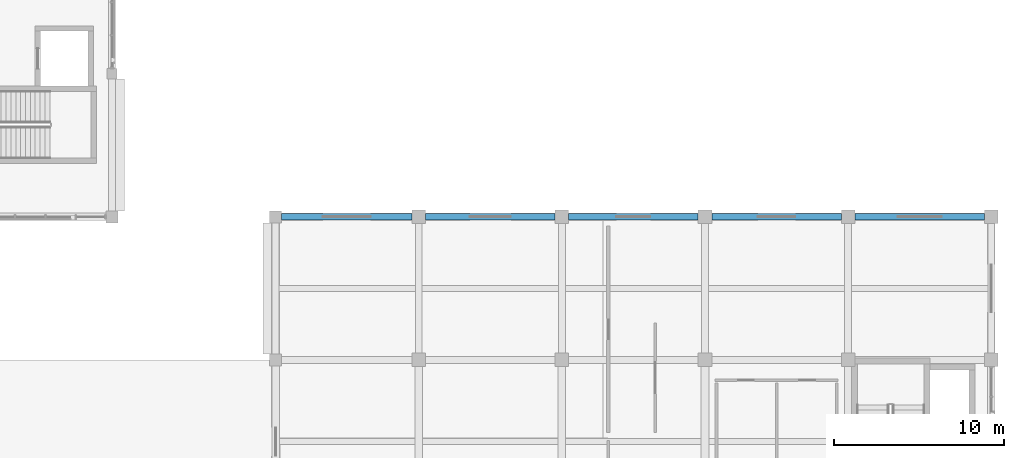
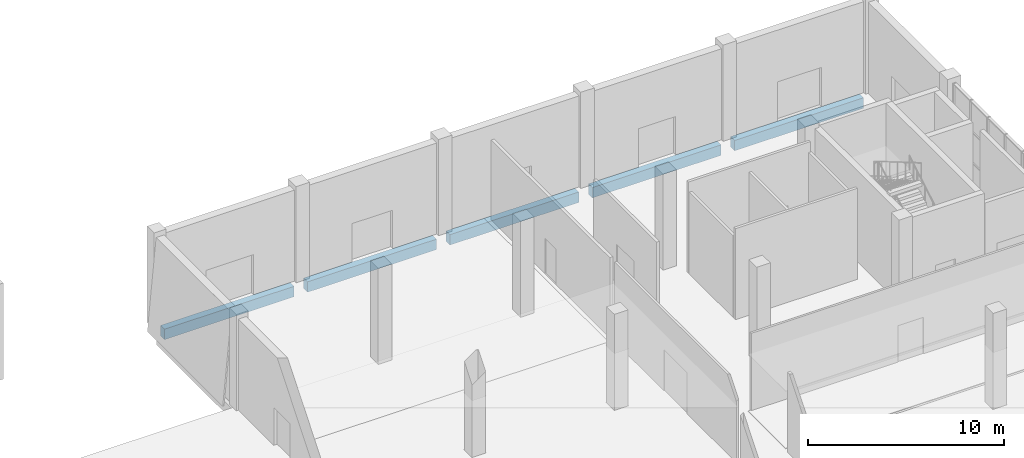
# One storey, part 38 of 84: 5 beams.
"""IFC4 building model written with IfcOpenShell, lengths in metres."""

from ifc_helpers import new_model, si_unit, direction, frame, origin, origin_2d, place, context, subcontext, project, spatial, rectangle, extrude, material, material_profile, profile_set, type_object, element, save


model = new_model("IFC4")

# Units and contexts
model_context = context("Model", 3, precision=1e-05, world=origin(), true_north=direction((0.0, 1.0)))
body_context = subcontext(model_context, "Body", "Model", "MODEL_VIEW")
ifc_project = project(units=[si_unit("LENGTHUNIT", "METRE"), si_unit("AREAUNIT", "SQUARE_METRE"), si_unit("VOLUMEUNIT", "CUBIC_METRE"), si_unit("PLANEANGLEUNIT", "RADIAN"), si_unit("MASSUNIT", "GRAM", prefix="KILO")], contexts=[model_context])

# Site, building, storey
site_placement = place(None, origin())
site = spatial("IfcSite", under=ifc_project, at=site_placement, CompositionType="ELEMENT")
building_placement = place(site_placement, origin())
building = spatial("IfcBuilding", under=site, at=building_placement, Name="Shalvenor Court Art Gallery", CompositionType="ELEMENT")
storey_placement = place(building_placement, origin())
storey = spatial("IfcBuildingStorey", under=building, at=storey_placement, Name="L00", CompositionType="ELEMENT", Elevation=0.0)

# Beams
ifc_material = material(Name="Concrete C40/50", Category="concrete")
ifc_material_profile = material_profile(ifc_material, rectangle(XDim=0.39990234375, YDim=0.64990234375, at=origin_2d()), Name="RC 400x650")
ifc_profile_set = profile_set([ifc_material_profile], Name="Concrete C40/50")
beam_type = type_object("IfcBeamType", Name="B-06", PredefinedType="BEAM", material=ifc_profile_set)
beam_1_placement = place(storey_placement, frame((134.75, 97.199951171875, -0.6650390625), z_axis=(1.0, 0.0, 0.0), x_axis=(0.0, 1.0, 0.0)))
element("IfcBeam", 1, at=beam_1_placement, inside=storey, type_object=beam_type, Name="L00 Girder BM-L00-B-06-0246", PredefinedType="BEAM", context=body_context, shape_type="SweptSolid", body=[
    extrude(rectangle(XDim=0.39990234375, YDim=0.64990234375, at=origin_2d()), origin(), (0.0, 0.0, 1.0), 7.64990234375),
])
beam_2_placement = place(storey_placement, frame((143.199951171875, 97.199951171875, -0.6650390625), z_axis=(1.0, 0.0, 0.0), x_axis=(0.0, 1.0, 0.0)))
element("IfcBeam", 2, at=beam_2_placement, inside=storey, type_object=beam_type, Name="L00 Girder BM-L00-B-06-0247", PredefinedType="BEAM", context=body_context, shape_type="SweptSolid", body=[
    extrude(rectangle(XDim=0.39990234375, YDim=0.64990234375, at=origin_2d()), origin(), (0.0, 0.0, 1.0), 7.60009765625),
])
beam_3_placement = place(storey_placement, frame((151.60009765625, 97.199951171875, -0.6650390625), z_axis=(1.0, 0.0, 0.0), x_axis=(0.0, 1.0, 0.0)))
element("IfcBeam", 3, at=beam_3_placement, inside=storey, type_object=beam_type, Name="L00 Girder BM-L00-B-06-0248", PredefinedType="BEAM", context=body_context, shape_type="SweptSolid", body=[
    extrude(rectangle(XDim=0.39990234375, YDim=0.64990234375, at=origin_2d()), origin(), (0.0, 0.0, 1.0), 7.599853515625),
])
for number, where, z_axis, x_axis, name in (
    (4, (160.0, 97.199951171875, -0.6650390625), (1.0, 0.0, 0.0), (0.0, 1.0, 0.0), "L00 Girder BM-L00-B-06-0249"),
    (5, (168.39990234375, 97.199951171875, -0.6650390625), (1.0, 0.0, 0.0), (0.0, 1.0, 0.0), "L00 Girder BM-L00-B-06-0250"),
):
    element("IfcBeam", number, at=place(storey_placement, frame(where, z_axis=z_axis, x_axis=x_axis)), inside=storey, type_object=beam_type, Name=name, PredefinedType="BEAM", context=body_context, shape_type="SweptSolid", body=[
        extrude(rectangle(XDim=0.39990234375, YDim=0.64990234375, at=origin_2d()), origin(), (0.0, 0.0, 1.0), 7.60009765625),
    ])

save(model, "model.ifc")
